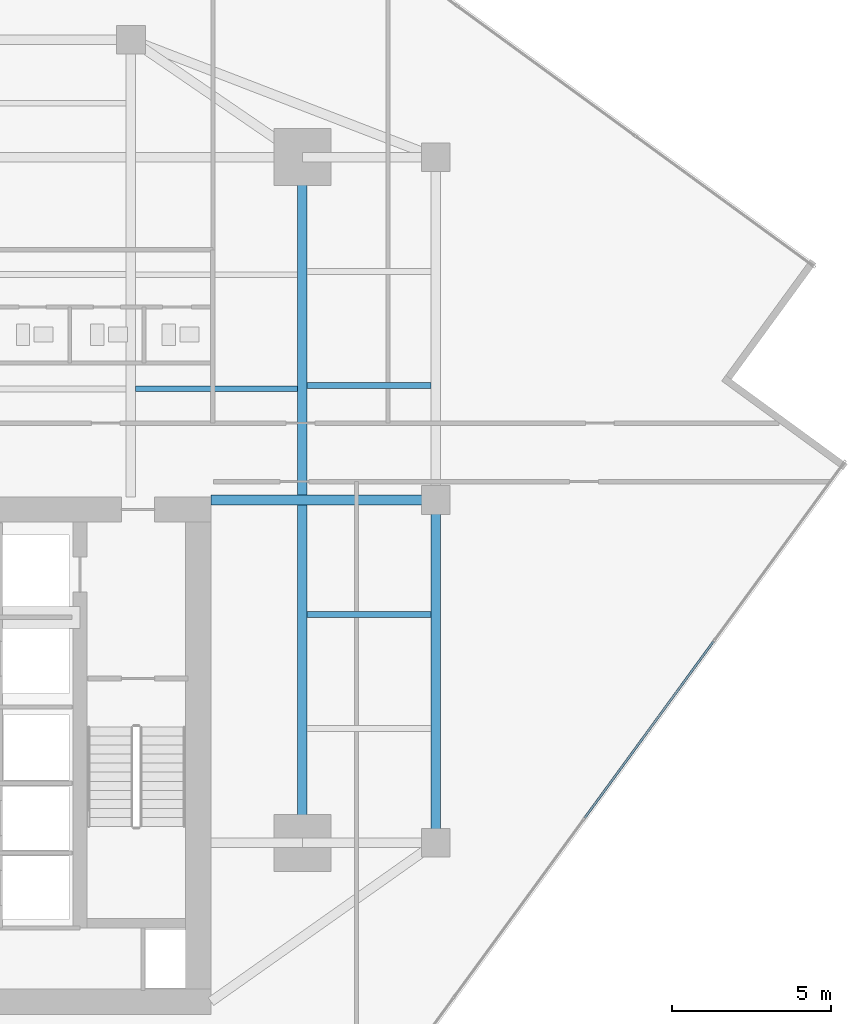
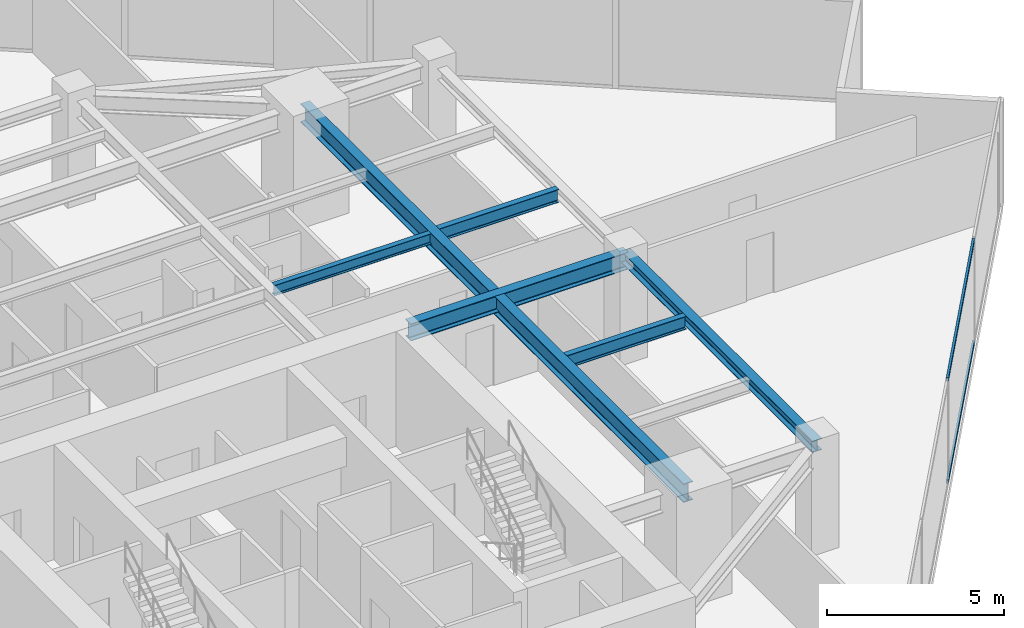
# One storey, part 10 of 25: 6 beams, 2 members, 1 element without a shape of its own.
"""IFC4 building model written with IfcOpenShell, lengths in metres."""

from ifc_helpers import new_model, si_unit, direction, frame, origin, origin_2d, place, context, subcontext, project, spatial, hollow_rectangle, i_section, extrude, source, transform, mapped, material, material_profile, profile_set, type_object, type_shapes, element, aggregate, save


model = new_model("IFC4")

# Units and contexts
model_context = context("Model", 3, precision=1e-05, world=origin(), true_north=direction((0.0, 1.0)))
body_context = subcontext(model_context, "Body", "Model", "MODEL_VIEW")
ifc_project = project(units=[si_unit("LENGTHUNIT", "METRE"), si_unit("AREAUNIT", "SQUARE_METRE"), si_unit("VOLUMEUNIT", "CUBIC_METRE"), si_unit("PLANEANGLEUNIT", "RADIAN"), si_unit("MASSUNIT", "GRAM", prefix="KILO")], contexts=[model_context])

# Site, building, storey
site_placement = place(None, origin())
site = spatial("IfcSite", under=ifc_project, at=site_placement, CompositionType="ELEMENT")
building_placement = place(site_placement, origin())
building = spatial("IfcBuilding", under=site, at=building_placement, Name="Krantzveldt Concourse Tower", CompositionType="ELEMENT")
storey_placement = place(building_placement, frame((0.0, 0.0, 197.550048828125)))
storey = spatial("IfcBuildingStorey", under=building, at=storey_placement, Name="L48", CompositionType="ELEMENT", Elevation=197.550048828125)

# Beams
ifc_material_1 = material(Name="Steel S355JR", Category="steel")
ifc_material_profile_1 = material_profile(ifc_material_1, i_section(OverallWidth=0.300048828125, OverallDepth=0.639892578125, WebThickness=0.013427734375, FlangeThickness=0.02587890625, FilletRadius=0.027099609375, at=origin_2d()), Name="Steel S355JR", Category="steel")
ifc_profile_set_1 = profile_set([ifc_material_profile_1], Name="Steel S355JR - HEA 650")
beam_type_1 = type_object("IfcBeamType", Name="BM-B-HEA650", PredefinedType="BEAM", material=ifc_profile_set_1)
shared_shape_1 = source(origin(), body_context, "Body", "SweptSolid", [
    extrude(i_section(OverallWidth=0.300048828125, OverallDepth=0.639892578125, WebThickness=0.013427734375, FlangeThickness=0.02587890625, FilletRadius=0.027099609375, at=origin_2d()), origin(), (0.0, 0.0, 1.0), 21.60009765625),
])
type_shapes(beam_type_1, [shared_shape_1])
beam_1_placement = place(storey_placement, frame((46.800048828125, 15.89990234375, 3.27001953125), z_axis=(0.0, 1.0, 0.0), x_axis=(-1.0, 0.0, 0.0)))
element("IfcBeam", 1, at=beam_1_placement, inside=storey, type_object=beam_type_1, Name="L48 Tower Girder BG-ME", PredefinedType="BEAM", context=body_context, shape_type="MappedRepresentation", body=[
    mapped(shared_shape_1, transform((0.0, 0.0, 0.0), x_axis=(1.0, 0.0, 0.0), y_axis=(0.0, 1.0, 0.0), z_axis=(0.0, 0.0, 1.0), scale=1.0)),
])
ifc_material_profile_2 = material_profile(ifc_material_1, i_section(OverallWidth=0.300048828125, OverallDepth=0.590087890625, WebThickness=0.012939453125, FlangeThickness=0.02490234375, FilletRadius=0.027099609375, at=origin_2d()), Name="Steel S355JR", Category="steel")
ifc_profile_set_2 = profile_set([ifc_material_profile_2], Name="Steel S355JR - HEA 600")
beam_type_2 = type_object("IfcBeamType", Name="BM-B-HEA600", PredefinedType="BEAM", material=ifc_profile_set_2)
shared_shape_2 = source(origin(), body_context, "Body", "SweptSolid", [
    extrude(i_section(OverallWidth=0.300048828125, OverallDepth=0.590087890625, WebThickness=0.012939453125, FlangeThickness=0.02490234375, FilletRadius=0.027099609375, at=origin_2d()), origin(), (0.0, 0.0, 1.0), 7.080078125),
])
type_shapes(beam_type_2, [shared_shape_2])
beam_2_placement = place(storey_placement, frame((43.919921875, 26.699951171875, 3.294921875), z_axis=(1.0, 0.0, 0.0), x_axis=(0.0, 1.0, 0.0)))
element("IfcBeam", 2, at=beam_2_placement, inside=storey, type_object=beam_type_2, Name="L48 Tower Girder BG-CE2", PredefinedType="BEAM", context=body_context, shape_type="MappedRepresentation", body=[
    mapped(shared_shape_2, transform((0.0, 0.0, 0.0), x_axis=(1.0, 0.0, 0.0), y_axis=(0.0, 1.0, 0.0), z_axis=(0.0, 0.0, 1.0), scale=1.0)),
])
ifc_material_profile_3 = material_profile(ifc_material_1, i_section(OverallWidth=0.300048828125, OverallDepth=0.389892578125, WebThickness=0.010986328125, FlangeThickness=0.01904296875, FilletRadius=0.027099609375, at=origin_2d()), Name="Steel S355JR", Category="steel")
ifc_profile_set_3 = profile_set([ifc_material_profile_3], Name="Steel S355JR - HEA 400")
beam_type_3 = type_object("IfcBeamType", Name="BM-SP-HEA400", PredefinedType="SPANDREL", material=ifc_profile_set_3)
shared_shape_3 = source(origin(), body_context, "Body", "SweptSolid", [
    extrude(i_section(OverallWidth=0.300048828125, OverallDepth=0.389892578125, WebThickness=0.010986328125, FlangeThickness=0.01904296875, FilletRadius=0.027099609375, at=origin_2d()), origin(), (0.0, 0.0, 1.0), 10.800048828125),
])
type_shapes(beam_type_3, [shared_shape_3])
beam_3_placement = place(storey_placement, frame((51.0, 26.699951171875, 3.39501953125), z_axis=(0.0, -1.0, 0.0), x_axis=(1.0, 0.0, 0.0)))
element("IfcBeam", 3, at=beam_3_placement, inside=storey, type_object=beam_type_3, Name="L48 Tower Girder SP-R07", PredefinedType="SPANDREL", context=body_context, shape_type="MappedRepresentation", body=[
    mapped(shared_shape_3, transform((0.0, 0.0, 0.0), x_axis=(1.0, 0.0, 0.0), y_axis=(0.0, 1.0, 0.0), z_axis=(0.0, 0.0, 1.0), scale=1.0)),
])
ifc_material_profile_4 = material_profile(ifc_material_1, i_section(OverallWidth=0.169921875, OverallDepth=0.360107421875, WebThickness=0.008056640625, FlangeThickness=0.0126953125, FilletRadius=0.01806640625, at=origin_2d()), Name="Steel S355JR", Category="steel")
ifc_profile_set_4 = profile_set([ifc_material_profile_4], Name="Steel S355JR - IPE 360")
beam_type_4 = type_object("IfcBeamType", Name="BM-J-IPE360", PredefinedType="JOIST", material=ifc_profile_set_4)
shared_shape_4 = source(origin(), body_context, "Body", "SweptSolid", [
    extrude(i_section(OverallWidth=0.169921875, OverallDepth=0.360107421875, WebThickness=0.008056640625, FlangeThickness=0.0126953125, FilletRadius=0.01806640625, at=origin_2d()), origin(), (0.0, 0.0, 1.0), 5.099853515625),
])
type_shapes(beam_type_4, [shared_shape_4])
beam_4_placement = place(storey_placement, frame((41.550048828125, 30.199951171875, 3.409912109375), z_axis=(1.0, 0.0, 0.0), x_axis=(0.0, 1.0, 0.0)))
element("IfcBeam", 4, at=beam_4_placement, inside=storey, type_object=beam_type_4, Name="L48 Secondary Floor Joist JN-E1", PredefinedType="JOIST", context=body_context, shape_type="MappedRepresentation", body=[
    mapped(shared_shape_4, transform((0.0, 0.0, 0.0), x_axis=(1.0, 0.0, 0.0), y_axis=(0.0, 1.0, 0.0), z_axis=(0.0, 0.0, 1.0), scale=1.0)),
])
ifc_material_profile_5 = material_profile(ifc_material_1, i_section(OverallWidth=0.18994140625, OverallDepth=0.449951171875, WebThickness=0.009521484375, FlangeThickness=0.0146484375, FilletRadius=0.02099609375, at=origin_2d()), Name="Steel S355JR", Category="steel")
ifc_profile_set_5 = profile_set([ifc_material_profile_5], Name="Steel S355JR - IPE 450")
beam_type_5 = type_object("IfcBeamType", Name="BM-J-IPE450", PredefinedType="JOIST", material=ifc_profile_set_5)
shared_shape_5 = source(origin(), body_context, "Body", "SweptSolid", [
    extrude(i_section(OverallWidth=0.18994140625, OverallDepth=0.449951171875, WebThickness=0.009521484375, FlangeThickness=0.0146484375, FilletRadius=0.02099609375, at=origin_2d()), origin(), (0.0, 0.0, 1.0), 3.900146484375),
])
type_shapes(beam_type_5, [shared_shape_5])
for number, where, z_axis, x_axis, name in (
    (5, (46.949951171875, 23.10009765625, 3.364990234375), (1.0, 0.0, 0.0), (0.0, 1.0, 0.0), "L48 Secondary Floor Joist JE-2"),
    (6, (46.949951171875, 30.300048828125, 3.364990234375), (1.0, 0.0, 0.0), (0.0, 1.0, 0.0), "L48 Secondary Floor Joist JE-3"),
):
    element("IfcBeam", number, at=place(storey_placement, frame(where, z_axis=z_axis, x_axis=x_axis)), inside=storey, type_object=beam_type_5, Name=name, PredefinedType="JOIST", context=body_context, shape_type="MappedRepresentation", body=[
        mapped(shared_shape_5, transform((0.0, 0.0, 0.0), x_axis=(1.0, 0.0, 0.0), y_axis=(0.0, 1.0, 0.0), z_axis=(0.0, 0.0, 1.0), scale=1.0)),
    ])

# Curtain wall, members
ifc_material_2 = material(Name="Anodised aluminium 6063-T6", Category="aluminium")
curtain_wall_type = type_object("IfcCurtainWallType", Name="CW3", PredefinedType="USERDEFINED", material=ifc_material_2)
curtain_wall_placement = place(storey_placement, origin())
curtain_wall = element("IfcCurtainWall", 7, at=curtain_wall_placement, inside=storey, type_object=curtain_wall_type, Name="CW-L48-F07", ObjectType="UNITISED CURTAIN WALL", PredefinedType="USERDEFINED")
ifc_material_profile_6 = material_profile(ifc_material_2, hollow_rectangle(XDim=0.070068359375, YDim=0.139892578125, WallThickness=0.0048828125, at=origin_2d()), Name="Anodised aluminium 6063-T6", Category="aluminium")
ifc_profile_set_6 = profile_set([ifc_material_profile_6], Name="Anodised aluminium 6063-T6 - ALU-TRAN 140x70x5")
member_type = type_object("IfcMemberType", Name="CW-TRN-150", PredefinedType="USERDEFINED", material=ifc_profile_set_6)
shared_shape_6 = source(origin(), body_context, "Body", "SweptSolid", [
    extrude(hollow_rectangle(XDim=0.070068359375, YDim=0.139892578125, WallThickness=0.0048828125, at=origin_2d()), origin(), (0.0, 0.0, 1.0), 6.889892578125),
])
type_shapes(member_type, [shared_shape_6])
member_1_placement = place(storey_placement, frame((55.68896484375, 16.68115234375, 0.034912109375), z_axis=(0.589557179589, 0.807726644352, 0.0), x_axis=(-0.807726644352, 0.589557179589, 0.0)))
member_1 = element("IfcMember", 8, at=member_1_placement, type_object=member_type, Name="CW-Z34 transom 4.1", ObjectType="TRANSOM", PredefinedType="USERDEFINED", context=body_context, shape_type="MappedRepresentation", body=[
    mapped(shared_shape_6, transform((0.0, 0.0, 0.0), x_axis=(1.0, 0.0, 0.0), y_axis=(0.0, 1.0, 0.0), z_axis=(0.0, 0.0, 1.0), scale=1.0)),
])
member_2_placement = place(storey_placement, frame((55.68896484375, 16.68115234375, 3.554931640625), z_axis=(0.589557179589, 0.807726644352, 0.0), x_axis=(-0.807726644352, 0.589557179589, 0.0)))
member_2 = element("IfcMember", 9, at=member_2_placement, type_object=member_type, Name="CW-Z34 transom 4.2", ObjectType="TRANSOM", PredefinedType="USERDEFINED", context=body_context, shape_type="MappedRepresentation", body=[
    mapped(shared_shape_6, transform((0.0, 0.0, 0.0), x_axis=(1.0, 0.0, 0.0), y_axis=(0.0, 1.0, 0.0), z_axis=(0.0, 0.0, 1.0), scale=1.0)),
])
aggregate(curtain_wall, [member_1, member_2])

save(model, "model.ifc")
